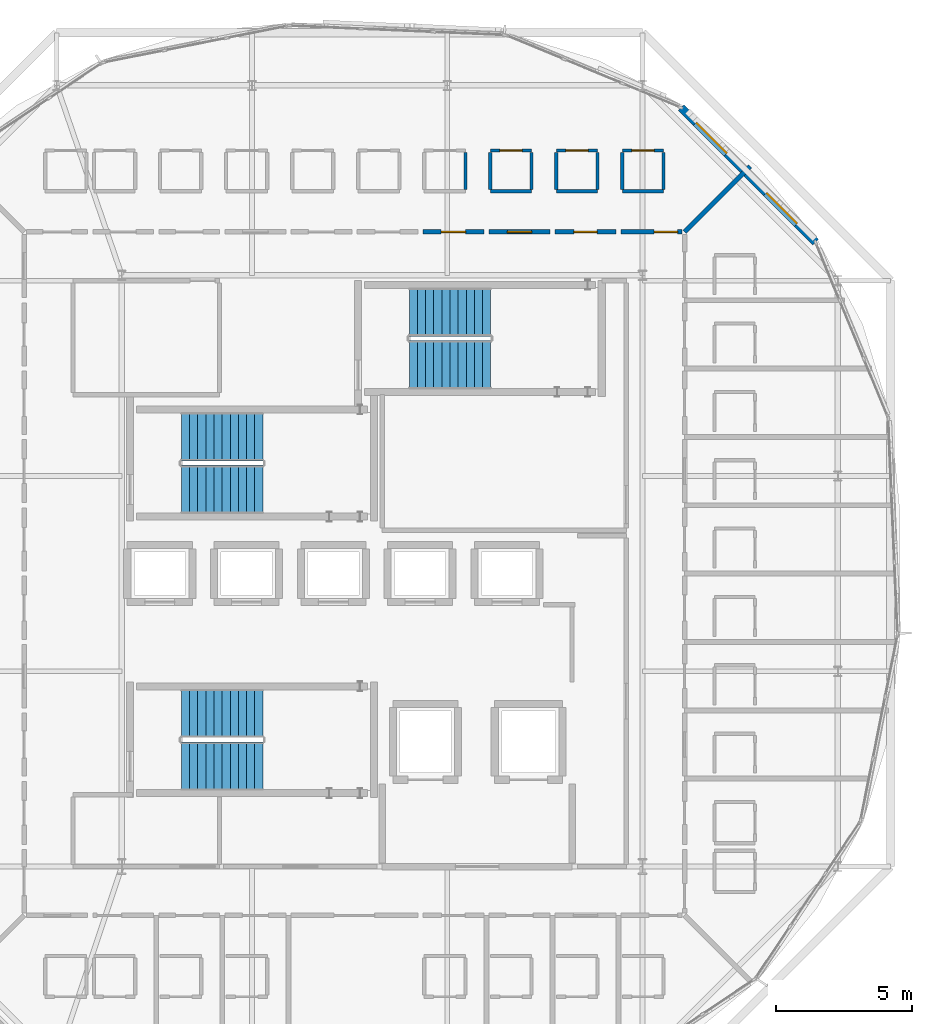
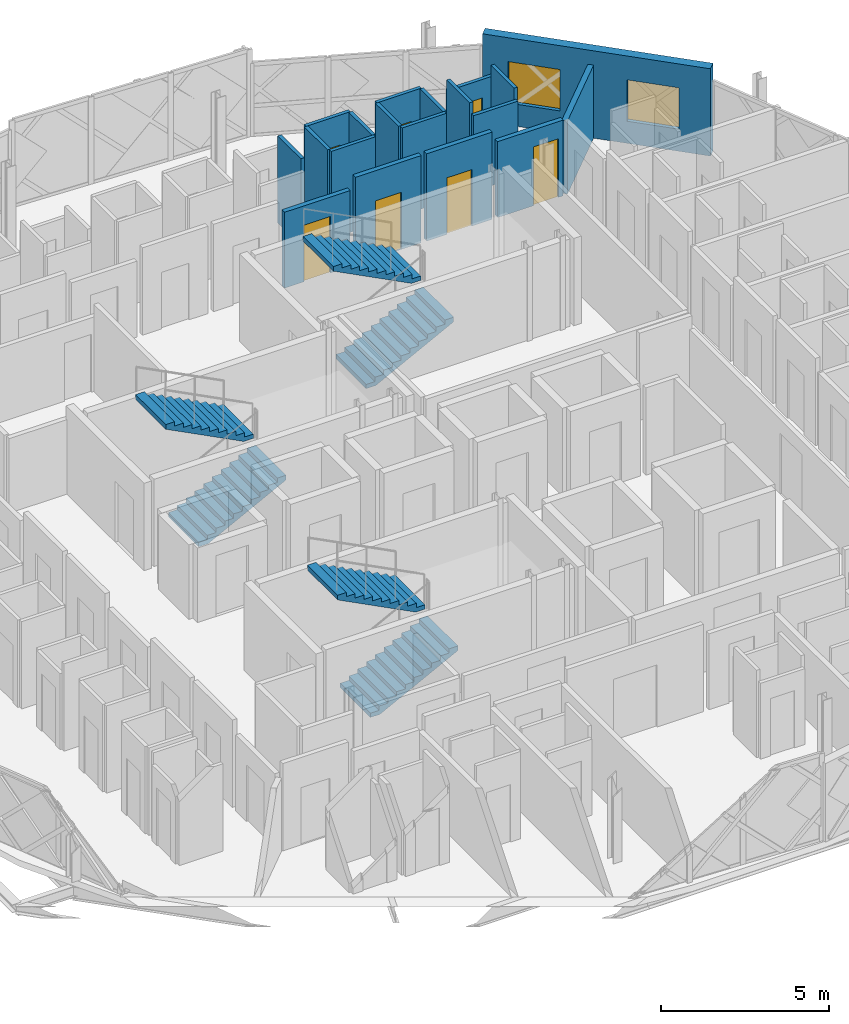
# One storey, part 19 of 24: 19 walls, 7 doors, 6 stair flights, 2 windows, 9 openings, 3 elements without a shape of their own.
"""IFC4 building model written with IfcOpenShell, lengths in metres."""

from ifc_helpers import new_model, si_unit, direction, frame, frame_2d, origin, place, context, subcontext, project, spatial, polyline, rectangle, outline, extrude, material, layer, layer_set, type_object, element, fill, aggregate, save


model = new_model("IFC4")

# Units and contexts
model_context = context("Model", 3, precision=1e-05, world=origin(), true_north=direction((0.0, 1.0)))
body_context = subcontext(model_context, "Body", "Model", "MODEL_VIEW")
ifc_project = project(units=[si_unit("LENGTHUNIT", "METRE"), si_unit("AREAUNIT", "SQUARE_METRE"), si_unit("VOLUMEUNIT", "CUBIC_METRE"), si_unit("PLANEANGLEUNIT", "RADIAN"), si_unit("MASSUNIT", "GRAM", prefix="KILO")], contexts=[model_context])

# Site, building, storey
site_placement = place(None, origin())
site = spatial("IfcSite", under=ifc_project, at=site_placement, CompositionType="ELEMENT")
building_placement = place(site_placement, origin())
building = spatial("IfcBuilding", under=site, at=building_placement, Name="Zevrakil Square Congress Hotel", CompositionType="ELEMENT")
storey_placement = place(building_placement, frame((0.0, 0.0, 35.10009765625)))
storey = spatial("IfcBuildingStorey", under=building, at=storey_placement, Name="L10", CompositionType="ELEMENT", Elevation=35.10009765625)

# Wall, opening, door
ifc_material_1 = material(Name="Gypsum Acoustic Stud Partition")
ifc_layer_1 = layer(ifc_material_1, 0.159912109375)
ifc_layer_set_1 = layer_set([ifc_layer_1], Name="Gypsum Acoustic Stud Partition")
wall_type_1 = type_object("IfcWallType", Name="WAL-CORR-160", PredefinedType="PARTITIONING", material=ifc_layer_set_1)
wall_1_placement = place(storey_placement, frame((155.2099609375, 40.199951171875, 0.0), z_axis=(0.0, 0.0, 1.0), x_axis=(1.0, 0.0, 0.0)))
wall_1 = element("IfcWall", 1, at=wall_1_placement, inside=storey, type_object=wall_type_1, Name="L10 interior partition PW-L10-1676", PredefinedType="PARTITIONING", context=body_context, shape_type="SweptSolid", body=[
    extrude(rectangle(XDim=2.2451171875, YDim=0.159912109375, at=frame_2d((1.12255859375, 0.0))), origin(), (0.0, 0.0, 1.0), 2.75),
])
opening_1_placement = place(wall_1_placement, frame((1.220947265625, 0.0, 0.0)))
opening_1 = element("IfcOpeningElement", 2, at=opening_1_placement, cuts=wall_1, Name="Opening ID-H02", PredefinedType="OPENING", context=body_context, shape_type="SweptSolid", body=[
    extrude(rectangle(XDim=0.864013671875, YDim=2.1298828125, at=frame_2d((0.43212890625, 1.06494140625))), frame((0.0, 0.08984375, 0.0), z_axis=(0.0, -1.0, 0.0), x_axis=(1.0, 0.0, 0.0)), (0.0, 0.0, 1.0), 0.179931640625),
])
ifc_material_2 = material(Name="Acoustic Timber Fire Door", Category="wood")
door_type_1 = type_object("IfcDoorType", Name="DOR-INT-H02", OperationType="NOTDEFINED", PredefinedType="DOOR", material=ifc_material_2)
door_1_placement = place(opening_1_placement, origin())
door_1 = element("IfcDoor", 3, at=door_1_placement, inside=storey, type_object=door_type_1, Name="L10 interior door 651", OperationType="SINGLE_SWING_LEFT", OverallHeight=2.1298828125, OverallWidth=0.864013671875, PredefinedType="DOOR", context=body_context, shape_type="SweptSolid", body=[
    extrude(rectangle(XDim=0.864013671875, YDim=2.1298828125, at=frame_2d((0.43212890625, 1.06494140625))), frame((0.0, 0.02490234375, 0.0), z_axis=(0.0, -1.0, 0.0), x_axis=(1.0, 0.0, 0.0)), (0.0, 0.0, 1.0), 0.050048828125),
])
fill(opening_1, door_1)

wall_2_placement = place(storey_placement, frame((152.77490234375, 40.199951171875, 0.0), z_axis=(0.0, 0.0, 1.0), x_axis=(1.0, 0.0, 0.0)))
wall_2 = element("IfcWall", 4, at=wall_2_placement, inside=storey, type_object=wall_type_1, Name="L10 interior partition PW-L10-1681", PredefinedType="PARTITIONING", context=body_context, shape_type="SweptSolid", body=[
    extrude(rectangle(XDim=2.2451171875, YDim=0.159912109375, at=frame_2d((1.12255859375, 0.0))), origin(), (0.0, 0.0, 1.0), 3.164794921875),
])
opening_2_placement = place(wall_2_placement, frame((0.695068359375, 0.0, 0.0)))
opening_2 = element("IfcOpeningElement", 5, at=opening_2_placement, cuts=wall_2, Name="Opening ID-G01", PredefinedType="OPENING", context=body_context, shape_type="SweptSolid", body=[
    extrude(rectangle(XDim=0.85498046875, YDim=2.050048828125, at=frame_2d((0.427490234375, 1.02490234375))), frame((0.0, 0.08984375, 0.0), z_axis=(0.0, -1.0, 0.0), x_axis=(1.0, 0.0, 0.0)), (0.0, 0.0, 1.0), 0.179931640625),
])
ifc_material_3 = material(Name="Acoustic Timber Fire Door", Category="wood")
door_type_2 = type_object("IfcDoorType", Name="DOR-INT-G01", OperationType="NOTDEFINED", PredefinedType="DOOR", material=ifc_material_3)
door_2_placement = place(opening_2_placement, origin())
door_2 = element("IfcDoor", 6, at=door_2_placement, inside=storey, type_object=door_type_2, Name="L10 interior door 653", OperationType="SINGLE_SWING_LEFT", OverallHeight=2.050048828125, OverallWidth=0.85498046875, PredefinedType="DOOR", context=body_context, shape_type="SweptSolid", body=[
    extrude(rectangle(XDim=0.85498046875, YDim=2.050048828125, at=frame_2d((0.427490234375, 1.02490234375))), frame((0.0, 0.02490234375, 0.0), z_axis=(0.0, -1.0, 0.0), x_axis=(1.0, 0.0, 0.0)), (0.0, 0.0, 1.0), 0.050048828125),
])
fill(opening_2, door_2)

wall_3_placement = place(storey_placement, frame((150.340087890625, 40.199951171875, 0.0), z_axis=(0.0, 0.0, 1.0), x_axis=(1.0, 0.0, 0.0)))
wall_3 = element("IfcWall", 7, at=wall_3_placement, inside=storey, type_object=wall_type_1, Name="L10 interior partition PW-L10-1686", PredefinedType="PARTITIONING", context=body_context, shape_type="SweptSolid", body=[
    extrude(rectangle(XDim=2.244873046875, YDim=0.159912109375, at=frame_2d((1.12255859375, 0.0))), origin(), (0.0, 0.0, 1.0), 3.164794921875),
])
opening_3_placement = place(wall_3_placement, frame((0.678466796875, 0.0, 0.0)))
opening_3 = element("IfcOpeningElement", 8, at=opening_3_placement, cuts=wall_3, Name="Opening ID-H04", PredefinedType="OPENING", context=body_context, shape_type="SweptSolid", body=[
    extrude(rectangle(XDim=0.887939453125, YDim=2.070068359375, at=frame_2d((0.44384765625, 1.03515625))), frame((0.0, 0.08984375, 0.0), z_axis=(0.0, -1.0, 0.0), x_axis=(1.0, 0.0, 0.0)), (0.0, 0.0, 1.0), 0.179931640625),
])
ifc_material_4 = material(Name="Acoustic Timber Fire Door", Category="wood")
door_type_3 = type_object("IfcDoorType", Name="DOR-INT-H04", OperationType="NOTDEFINED", PredefinedType="DOOR", material=ifc_material_4)
door_3_placement = place(opening_3_placement, origin())
door_3 = element("IfcDoor", 9, at=door_3_placement, inside=storey, type_object=door_type_3, Name="L10 interior door 655", OperationType="SINGLE_SWING_LEFT", OverallHeight=2.070068359375, OverallWidth=0.887939453125, PredefinedType="DOOR", context=body_context, shape_type="SweptSolid", body=[
    extrude(rectangle(XDim=0.887939453125, YDim=2.070068359375, at=frame_2d((0.44384765625, 1.03515625))), frame((0.0, 0.02490234375, 0.0), z_axis=(0.0, -1.0, 0.0), x_axis=(1.0, 0.0, 0.0)), (0.0, 0.0, 1.0), 0.050048828125),
])
fill(opening_3, door_3)

wall_4_placement = place(storey_placement, frame((147.905029296875, 40.199951171875, 0.0), z_axis=(0.0, 0.0, 1.0), x_axis=(1.0, 0.0, 0.0)))
wall_4 = element("IfcWall", 10, at=wall_4_placement, inside=storey, type_object=wall_type_1, Name="L10 interior partition PW-L10-1691", PredefinedType="PARTITIONING", context=body_context, shape_type="SweptSolid", body=[
    extrude(rectangle(XDim=2.244873046875, YDim=0.159912109375, at=frame_2d((1.12255859375, 0.0))), origin(), (0.0, 0.0, 1.0), 2.75),
])
opening_4_placement = place(wall_4_placement, frame((0.669921875, 0.0, 0.0)))
opening_4 = element("IfcOpeningElement", 11, at=opening_4_placement, cuts=wall_4, Name="Opening ID-G03", PredefinedType="OPENING", context=body_context, shape_type="SweptSolid", body=[
    extrude(rectangle(XDim=0.905029296875, YDim=2.050048828125, at=frame_2d((0.45263671875, 1.02490234375))), frame((0.0, 0.08984375, 0.0), z_axis=(0.0, -1.0, 0.0), x_axis=(1.0, 0.0, 0.0)), (0.0, 0.0, 1.0), 0.179931640625),
])
ifc_material_5 = material(Name="Acoustic Timber Fire Door", Category="wood")
door_type_4 = type_object("IfcDoorType", Name="DOR-INT-G03", OperationType="NOTDEFINED", PredefinedType="DOOR", material=ifc_material_5)
door_4_placement = place(opening_4_placement, origin())
door_4 = element("IfcDoor", 12, at=door_4_placement, inside=storey, type_object=door_type_4, Name="L10 interior door 657", OperationType="SINGLE_SWING_LEFT", OverallHeight=2.050048828125, OverallWidth=0.905029296875, PredefinedType="DOOR", context=body_context, shape_type="SweptSolid", body=[
    extrude(rectangle(XDim=0.905029296875, YDim=2.050048828125, at=frame_2d((0.45263671875, 1.02490234375))), frame((0.0, 0.02490234375, 0.0), z_axis=(0.0, -1.0, 0.0), x_axis=(1.0, 0.0, 0.0)), (0.0, 0.0, 1.0), 0.050048828125),
])
fill(opening_4, door_4)

# Wall
ifc_material_6 = material(Name="Moisture-Resistant Gypsum Partition")
ifc_layer_2 = layer(ifc_material_6, 0.1201171875)
ifc_layer_set_2 = layer_set([ifc_layer_2], Name="Moisture-Resistant Gypsum Partition")
wall_type_2 = type_object("IfcWallType", Name="WAL-ENS-120", PredefinedType="PARTITIONING", material=ifc_layer_set_2)
wall_5_placement = place(storey_placement, frame((155.2548828125, 41.699951171875, 0.0), z_axis=(0.0, 0.0, 1.0), x_axis=(1.0, 0.0, 0.0)))
element("IfcWall", 13, at=wall_5_placement, inside=storey, type_object=wall_type_2, Name="L10 interior partition PW-L10-1677", PredefinedType="PARTITIONING", context=body_context, shape_type="SweptSolid", body=[
    extrude(rectangle(XDim=1.52001953125, YDim=0.1201171875, at=frame_2d((0.760009765625, 0.0))), origin(), (0.0, 0.0, 1.0), 2.75),
])

# Wall, opening, door
wall_6_placement = place(storey_placement, frame((155.2548828125, 43.199951171875, 0.0), z_axis=(0.0, 0.0, 1.0), x_axis=(1.0, 0.0, 0.0)))
wall_6 = element("IfcWall", 14, at=wall_6_placement, inside=storey, type_object=wall_type_2, Name="L10 interior partition PW-L10-1678", PredefinedType="PARTITIONING", context=body_context, shape_type="SweptSolid", body=[
    extrude(rectangle(XDim=1.52001953125, YDim=0.1201171875, at=frame_2d((0.760009765625, 0.0))), origin(), (0.0, 0.0, 1.0), 2.75),
])
opening_5_placement = place(wall_6_placement, frame((0.35009765625, 0.0, 0.0)))
opening_5 = element("IfcOpeningElement", 15, at=opening_5_placement, cuts=wall_6, Name="Opening ID-11", PredefinedType="OPENING", context=body_context, shape_type="SweptSolid", body=[
    extrude(rectangle(XDim=0.820068359375, YDim=2.080078125, at=frame_2d((0.41015625, 1.0400390625))), frame((0.0, 0.070068359375, 0.0), z_axis=(0.0, -1.0, 0.0), x_axis=(1.0, 0.0, 0.0)), (0.0, 0.0, 1.0), 0.14013671875),
])
ifc_material_7 = material(Name="Acoustic Timber Door", Category="wood")
door_type_5 = type_object("IfcDoorType", Name="DOR-INT-V01", OperationType="NOTDEFINED", PredefinedType="DOOR", material=ifc_material_7)
door_5_placement = place(opening_5_placement, origin())
door_5 = element("IfcDoor", 16, at=door_5_placement, inside=storey, type_object=door_type_5, Name="L10 interior door 652", OperationType="SINGLE_SWING_RIGHT", OverallHeight=2.080078125, OverallWidth=0.820068359375, PredefinedType="DOOR", context=body_context, shape_type="SweptSolid", body=[
    extrude(rectangle(XDim=0.820068359375, YDim=2.080078125, at=frame_2d((0.41015625, 1.0400390625))), frame((0.0, 0.02490234375, 0.0), z_axis=(0.0, -1.0, 0.0), x_axis=(1.0, 0.0, 0.0)), (0.0, 0.0, 1.0), 0.050048828125),
])
fill(opening_5, door_5)

# Walls
for number, where, z_axis, x_axis, name in (
    (17, (155.2548828125, 41.764892578125, 0.0), (0.0, 0.0, 1.0), (0.0, 1.0, 0.0), "L10 interior partition PW-L10-1679"),
    (18, (156.77490234375, 41.764892578125, 0.0), (0.0, 0.0, 1.0), (0.0, 1.0, 0.0), "L10 interior partition PW-L10-1680"),
):
    element("IfcWall", number, at=place(storey_placement, frame(where, z_axis=z_axis, x_axis=x_axis)), inside=storey, type_object=wall_type_2, Name=name, PredefinedType="PARTITIONING", context=body_context, shape_type="SweptSolid", body=[
        extrude(rectangle(XDim=1.3701171875, YDim=0.1201171875, at=frame_2d((0.68505859375, 0.0))), origin(), (0.0, 0.0, 1.0), 3.164794921875),
    ])
wall_7_placement = place(storey_placement, frame((152.820068359375, 41.699951171875, 0.0), z_axis=(0.0, 0.0, 1.0), x_axis=(1.0, 0.0, 0.0)))
element("IfcWall", 19, at=wall_7_placement, inside=storey, type_object=wall_type_2, Name="L10 interior partition PW-L10-1682", PredefinedType="PARTITIONING", context=body_context, shape_type="SweptSolid", body=[
    extrude(rectangle(XDim=1.52001953125, YDim=0.1201171875, at=frame_2d((0.760009765625, 0.0))), origin(), (0.0, 0.0, 1.0), 3.164794921875),
])

# Wall, opening, door
wall_8_placement = place(storey_placement, frame((152.820068359375, 43.199951171875, 0.0), z_axis=(0.0, 0.0, 1.0), x_axis=(1.0, 0.0, 0.0)))
wall_8 = element("IfcWall", 20, at=wall_8_placement, inside=storey, type_object=wall_type_2, Name="L10 interior partition PW-L10-1683", PredefinedType="PARTITIONING", context=body_context, shape_type="SweptSolid", body=[
    extrude(rectangle(XDim=1.52001953125, YDim=0.1201171875, at=frame_2d((0.760009765625, 0.0))), origin(), (0.0, 0.0, 1.0), 3.164794921875),
])
opening_6_placement = place(wall_8_placement, frame((0.35009765625, 0.0, 0.0)))
opening_6 = element("IfcOpeningElement", 21, at=opening_6_placement, cuts=wall_8, Name="Opening ID-11", PredefinedType="OPENING", context=body_context, shape_type="SweptSolid", body=[
    extrude(rectangle(XDim=0.820068359375, YDim=2.080078125, at=frame_2d((0.41015625, 1.0400390625))), frame((0.0, 0.070068359375, 0.0), z_axis=(0.0, -1.0, 0.0), x_axis=(1.0, 0.0, 0.0)), (0.0, 0.0, 1.0), 0.14013671875),
])
door_6_placement = place(opening_6_placement, origin())
door_6 = element("IfcDoor", 22, at=door_6_placement, inside=storey, type_object=door_type_5, Name="L10 interior door 654", OperationType="SINGLE_SWING_RIGHT", OverallHeight=2.080078125, OverallWidth=0.820068359375, PredefinedType="DOOR", context=body_context, shape_type="SweptSolid", body=[
    extrude(rectangle(XDim=0.820068359375, YDim=2.080078125, at=frame_2d((0.41015625, 1.0400390625))), frame((0.0, 0.02490234375, 0.0), z_axis=(0.0, -1.0, 0.0), x_axis=(1.0, 0.0, 0.0)), (0.0, 0.0, 1.0), 0.050048828125),
])
fill(opening_6, door_6)

# Walls
for number, where, z_axis, x_axis, name in (
    (23, (152.820068359375, 41.764892578125, 0.0), (0.0, 0.0, 1.0), (0.0, 1.0, 0.0), "L10 interior partition PW-L10-1684"),
    (24, (154.340087890625, 41.764892578125, 0.0), (0.0, 0.0, 1.0), (0.0, 1.0, 0.0), "L10 interior partition PW-L10-1685"),
):
    element("IfcWall", number, at=place(storey_placement, frame(where, z_axis=z_axis, x_axis=x_axis)), inside=storey, type_object=wall_type_2, Name=name, PredefinedType="PARTITIONING", context=body_context, shape_type="SweptSolid", body=[
        extrude(rectangle(XDim=1.3701171875, YDim=0.1201171875, at=frame_2d((0.68505859375, 0.0))), origin(), (0.0, 0.0, 1.0), 3.164794921875),
    ])
wall_9_placement = place(storey_placement, frame((150.385009765625, 41.699951171875, 0.0), z_axis=(0.0, 0.0, 1.0), x_axis=(1.0, 0.0, 0.0)))
element("IfcWall", 25, at=wall_9_placement, inside=storey, type_object=wall_type_2, Name="L10 interior partition PW-L10-1687", PredefinedType="PARTITIONING", context=body_context, shape_type="SweptSolid", body=[
    extrude(rectangle(XDim=1.52001953125, YDim=0.1201171875, at=frame_2d((0.760009765625, 0.0))), origin(), (0.0, 0.0, 1.0), 3.164794921875),
])

# Wall, opening, door
wall_10_placement = place(storey_placement, frame((150.385009765625, 43.199951171875, 0.0), z_axis=(0.0, 0.0, 1.0), x_axis=(1.0, 0.0, 0.0)))
wall_10 = element("IfcWall", 26, at=wall_10_placement, inside=storey, type_object=wall_type_2, Name="L10 interior partition PW-L10-1688", PredefinedType="PARTITIONING", context=body_context, shape_type="SweptSolid", body=[
    extrude(rectangle(XDim=1.52001953125, YDim=0.1201171875, at=frame_2d((0.760009765625, 0.0))), origin(), (0.0, 0.0, 1.0), 3.164794921875),
])
opening_7_placement = place(wall_10_placement, frame((0.35009765625, 0.0, 0.0)))
opening_7 = element("IfcOpeningElement", 27, at=opening_7_placement, cuts=wall_10, Name="Opening ID-11", PredefinedType="OPENING", context=body_context, shape_type="SweptSolid", body=[
    extrude(rectangle(XDim=0.820068359375, YDim=2.080078125, at=frame_2d((0.41015625, 1.0400390625))), frame((0.0, 0.070068359375, 0.0), z_axis=(0.0, -1.0, 0.0), x_axis=(1.0, 0.0, 0.0)), (0.0, 0.0, 1.0), 0.14013671875),
])
door_7_placement = place(opening_7_placement, origin())
door_7 = element("IfcDoor", 28, at=door_7_placement, inside=storey, type_object=door_type_5, Name="L10 interior door 656", OperationType="SINGLE_SWING_RIGHT", OverallHeight=2.080078125, OverallWidth=0.820068359375, PredefinedType="DOOR", context=body_context, shape_type="SweptSolid", body=[
    extrude(rectangle(XDim=0.820068359375, YDim=2.080078125, at=frame_2d((0.41015625, 1.0400390625))), frame((0.0, 0.02490234375, 0.0), z_axis=(0.0, -1.0, 0.0), x_axis=(1.0, 0.0, 0.0)), (0.0, 0.0, 1.0), 0.050048828125),
])
fill(opening_7, door_7)

# Walls
for number, where, z_axis, x_axis, name in (
    (29, (150.385009765625, 41.764892578125, 0.0), (0.0, 0.0, 1.0), (0.0, 1.0, 0.0), "L10 interior partition PW-L10-1689"),
    (30, (151.905029296875, 41.764892578125, 0.0), (0.0, 0.0, 1.0), (0.0, 1.0, 0.0), "L10 interior partition PW-L10-1690"),
    (31, (149.469970703125, 41.764892578125, 0.0), (0.0, 0.0, 1.0), (0.0, 1.0, 0.0), "L10 interior partition PW-L10-1695"),
):
    element("IfcWall", number, at=place(storey_placement, frame(where, z_axis=z_axis, x_axis=x_axis)), inside=storey, type_object=wall_type_2, Name=name, PredefinedType="PARTITIONING", context=body_context, shape_type="SweptSolid", body=[
        extrude(rectangle(XDim=1.3701171875, YDim=0.1201171875, at=frame_2d((0.68505859375, 0.0))), origin(), (0.0, 0.0, 1.0), 3.164794921875),
    ])

# Wall, openings, windows
ifc_material_8 = material(Name="Precast concrete C40/50", Category="concrete")
ifc_layer_3 = layer(ifc_material_8, 0.300048828125)
ifc_layer_set_3 = layer_set([ifc_layer_3], Name="Precast concrete C40/50")
wall_type_3 = type_object("IfcWallType", Name="WAL-EXT-DRM-300", PredefinedType="SOLIDWALL", material=ifc_layer_set_3)
wall_11_placement = place(storey_placement, frame((162.3759765625, 39.822265625, 0.0), z_axis=(0.0, 0.0, 1.0), x_axis=(-0.707106781187, 0.707106781187, 0.0)))
wall_11 = element("IfcWall", 32, at=wall_11_placement, inside=storey, type_object=wall_type_3, Name="L10 exterior GRC wall EW-L10-0134", PredefinedType="SOLIDWALL", context=body_context, shape_type="SweptSolid", body=[
    extrude(rectangle(XDim=7.00537109375, YDim=0.300048828125, at=frame_2d((3.502685546875, 0.0))), origin(), (0.0, 0.0, 1.0), 3.164794921875),
])
opening_8_placement = place(wall_11_placement, frame((0.959716796875, 0.0, 0.800048828125)))
opening_8 = element("IfcOpeningElement", 33, at=opening_8_placement, cuts=wall_11, Name="Opening WN-09", PredefinedType="OPENING", context=body_context, shape_type="SweptSolid", body=[
    extrude(rectangle(XDim=1.60009765625, YDim=1.5, at=frame_2d((0.800048828125, 0.75))), frame((0.0, 0.16015625, 0.0), z_axis=(0.0, -1.0, 0.0), x_axis=(1.0, 0.0, 0.0)), (0.0, 0.0, 1.0), 0.320068359375),
])
opening_9_placement = place(wall_11_placement, frame((4.62255859375, 0.0, 0.800048828125)))
opening_9 = element("IfcOpeningElement", 34, at=opening_9_placement, cuts=wall_11, Name="Opening WN-09", PredefinedType="OPENING", context=body_context, shape_type="SweptSolid", body=[
    extrude(rectangle(XDim=1.60009765625, YDim=1.5, at=frame_2d((0.800048828125, 0.75))), frame((0.0, 0.16015625, 0.0), z_axis=(0.0, -1.0, 0.0), x_axis=(1.0, 0.0, 0.0)), (0.0, 0.0, 1.0), 0.320068359375),
])
ifc_material_9 = material(Name="Low-E Solar Control Double Glazing", Category="glass")
window_type = type_object("IfcWindowType", Name="WIN-EXT-09", PartitioningType="SINGLE_PANEL", PredefinedType="WINDOW", material=ifc_material_9)
window_1_placement = place(opening_8_placement, origin())
window_1 = element("IfcWindow", 35, at=window_1_placement, inside=storey, type_object=window_type, Name="L10 hotel guestroom low-E window 112", OverallHeight=1.5, OverallWidth=1.60009765625, PartitioningType="SINGLE_PANEL", PredefinedType="WINDOW", context=body_context, shape_type="SweptSolid", body=[
    extrude(rectangle(XDim=1.60009765625, YDim=1.5, at=frame_2d((0.800048828125, 0.75))), frame((0.0, 0.030029296875, 0.0), z_axis=(0.0, -1.0, 0.0), x_axis=(1.0, 0.0, 0.0)), (0.0, 0.0, 1.0), 0.06005859375),
])
fill(opening_8, window_1)
window_2_placement = place(opening_9_placement, origin())
window_2 = element("IfcWindow", 36, at=window_2_placement, inside=storey, type_object=window_type, Name="L10 hotel guestroom low-E window 113", OverallHeight=1.5, OverallWidth=1.60009765625, PartitioningType="SINGLE_PANEL", PredefinedType="WINDOW", context=body_context, shape_type="SweptSolid", body=[
    extrude(rectangle(XDim=1.60009765625, YDim=1.5, at=frame_2d((0.800048828125, 0.75))), frame((0.0, 0.030029296875, 0.0), z_axis=(0.0, -1.0, 0.0), x_axis=(1.0, 0.0, 0.0)), (0.0, 0.0, 1.0), 0.06005859375),
])
fill(opening_9, window_2)

# Wall
ifc_material_10 = material(Name="Gypsum Twin-Stud Party Partition")
ifc_layer_4 = layer(ifc_material_10, 0.179931640625)
ifc_layer_set_4 = layer_set([ifc_layer_4], Name="Gypsum Twin-Stud Party Partition")
wall_type_4 = type_object("IfcWallType", Name="WAL-PARTY-180", PredefinedType="PARTITIONING", material=ifc_layer_set_4)
wall_12_placement = place(storey_placement, frame((157.550048828125, 40.199951171875, 0.0), z_axis=(0.0, 0.0, 1.0), x_axis=(0.707106781187, 0.707106781187, 0.0)))
element("IfcWall", 37, at=wall_12_placement, inside=storey, type_object=wall_type_4, Name="L10 interior partition PW-L10-1675", PredefinedType="PARTITIONING", context=body_context, shape_type="SweptSolid", body=[
    extrude(rectangle(XDim=3.41259765625, YDim=0.179931640625, at=frame_2d((1.706298828125, 0.0))), origin(), (0.0, 0.0, 1.0), 2.64990234375),
])

# Stair, stair flights
ifc_material_11 = material(Name="Concrete C35/45", Category="concrete")
stair_type = type_object("IfcStairType", Name="STR-DOGLEG-180", PredefinedType="HALF_TURN_STAIR", material=ifc_material_11)
stair_1_placement = place(storey_placement, origin())
stair_1 = element("IfcStair", 38, at=stair_1_placement, inside=storey, type_object=stair_type, Name="L10 Protected exit stair ST01", PredefinedType="HALF_TURN_STAIR")
ifc_material_12 = material(Name="Concrete C35/45", Category="concrete")
ifc_layer_5 = layer(ifc_material_12, 0.159912109375)
ifc_layer_set_5 = layer_set([ifc_layer_5], Name="Concrete C35/45")
stair_flight_type = type_object("IfcStairFlightType", Name="SFL-STRAIGHT-180", PredefinedType="STRAIGHT", material=ifc_layer_set_5)
stair_flight_1_placement = place(storey_placement, frame((139.0, 20.5, 0.0), z_axis=(0.0, 0.0, 1.0), x_axis=(1.0, 0.0, 0.0)))
stair_flight_1 = element("IfcStairFlight", 39, at=stair_flight_1_placement, type_object=stair_flight_type, Name="ST01 flight 1", NumberOfRisers=11, NumberOfTreads=10, PredefinedType="STRAIGHT", RiserHeight=0.154545455, TreadLength=0.3, context=body_context, shape_type="SweptSolid", body=[
    extrude(outline(polyline([(0.0, 0.0), (0.0, 0.154541015625), (0.300048828125, 0.154541015625), (0.300048828125, 0.30908203125), (0.60009765625, 0.30908203125), (0.60009765625, 0.463623046875), (0.89990234375, 0.463623046875), (0.89990234375, 0.6181640625), (1.199951171875, 0.6181640625), (1.199951171875, 0.772705078125), (1.5, 0.772705078125), (1.5, 0.92724609375), (1.800048828125, 0.92724609375), (1.800048828125, 1.081787109375), (2.10009765625, 1.081787109375), (2.10009765625, 1.236328125), (2.39990234375, 1.236328125), (2.39990234375, 1.390869140625), (2.699951171875, 1.390869140625), (2.699951171875, 1.54541015625), (3.0, 1.54541015625), (3.0, 1.699951171875), (3.0, 1.376708984375), (0.327392578125, 0.0), (0.0, 0.0)])), frame((0.0, 0.89990234375, 0.0), z_axis=(0.0, -1.0, 0.0), x_axis=(1.0, 0.0, 0.0)), (0.0, 0.0, 1.0), 1.800048828125),
])
stair_flight_2_placement = place(storey_placement, frame((142.0, 22.449951171875, 1.699951171875), z_axis=(0.0, 0.0, 1.0), x_axis=(-1.0, 0.0, 0.0)))
stair_flight_2 = element("IfcStairFlight", 40, at=stair_flight_2_placement, type_object=stair_flight_type, Name="ST01 flight 2", NumberOfRisers=11, NumberOfTreads=10, PredefinedType="STRAIGHT", RiserHeight=0.154545455, TreadLength=0.3, context=body_context, shape_type="SweptSolid", body=[
    extrude(outline(polyline([(0.0, 0.0), (0.0, 0.154541015625), (0.300048828125, 0.154541015625), (0.300048828125, 0.30908203125), (0.60009765625, 0.30908203125), (0.60009765625, 0.463623046875), (0.89990234375, 0.463623046875), (0.89990234375, 0.6181640625), (1.199951171875, 0.6181640625), (1.199951171875, 0.772705078125), (1.5, 0.772705078125), (1.5, 0.92724609375), (1.800048828125, 0.92724609375), (1.800048828125, 1.081787109375), (2.10009765625, 1.081787109375), (2.10009765625, 1.236328125), (2.39990234375, 1.236328125), (2.39990234375, 1.390869140625), (2.699951171875, 1.390869140625), (2.699951171875, 1.54541015625), (3.0, 1.54541015625), (3.0, 1.699951171875), (3.0, 1.376708984375), (0.327392578125, 0.0), (0.0, 0.0)])), frame((0.0, 0.89990234375, 0.0), z_axis=(0.0, -1.0, 0.0), x_axis=(1.0, 0.0, 0.0)), (0.0, 0.0, 1.0), 1.800048828125),
])
aggregate(stair_1, [stair_flight_1, stair_flight_2])

stair_2_placement = place(storey_placement, origin())
stair_2 = element("IfcStair", 41, at=stair_2_placement, inside=storey, type_object=stair_type, Name="L10 Protected exit stair ST02", PredefinedType="HALF_TURN_STAIR")
stair_flight_3_placement = place(storey_placement, frame((139.0, 30.699951171875, 0.0), z_axis=(0.0, 0.0, 1.0), x_axis=(1.0, 0.0, 0.0)))
stair_flight_3 = element("IfcStairFlight", 42, at=stair_flight_3_placement, type_object=stair_flight_type, Name="ST02 flight 1", NumberOfRisers=11, NumberOfTreads=10, PredefinedType="STRAIGHT", RiserHeight=0.154545455, TreadLength=0.3, context=body_context, shape_type="SweptSolid", body=[
    extrude(outline(polyline([(0.0, 0.0), (0.0, 0.154541015625), (0.300048828125, 0.154541015625), (0.300048828125, 0.30908203125), (0.60009765625, 0.30908203125), (0.60009765625, 0.463623046875), (0.89990234375, 0.463623046875), (0.89990234375, 0.6181640625), (1.199951171875, 0.6181640625), (1.199951171875, 0.772705078125), (1.5, 0.772705078125), (1.5, 0.92724609375), (1.800048828125, 0.92724609375), (1.800048828125, 1.081787109375), (2.10009765625, 1.081787109375), (2.10009765625, 1.236328125), (2.39990234375, 1.236328125), (2.39990234375, 1.390869140625), (2.699951171875, 1.390869140625), (2.699951171875, 1.54541015625), (3.0, 1.54541015625), (3.0, 1.699951171875), (3.0, 1.376708984375), (0.327392578125, 0.0), (0.0, 0.0)])), frame((0.0, 0.89990234375, 0.0), z_axis=(0.0, -1.0, 0.0), x_axis=(1.0, 0.0, 0.0)), (0.0, 0.0, 1.0), 1.800048828125),
])
stair_flight_4_placement = place(storey_placement, frame((142.0, 32.64990234375, 1.699951171875), z_axis=(0.0, 0.0, 1.0), x_axis=(-1.0, 0.0, 0.0)))
stair_flight_4 = element("IfcStairFlight", 43, at=stair_flight_4_placement, type_object=stair_flight_type, Name="ST02 flight 2", NumberOfRisers=11, NumberOfTreads=10, PredefinedType="STRAIGHT", RiserHeight=0.154545455, TreadLength=0.3, context=body_context, shape_type="SweptSolid", body=[
    extrude(outline(polyline([(0.0, 0.0), (0.0, 0.154541015625), (0.300048828125, 0.154541015625), (0.300048828125, 0.30908203125), (0.60009765625, 0.30908203125), (0.60009765625, 0.463623046875), (0.89990234375, 0.463623046875), (0.89990234375, 0.6181640625), (1.199951171875, 0.6181640625), (1.199951171875, 0.772705078125), (1.5, 0.772705078125), (1.5, 0.92724609375), (1.800048828125, 0.92724609375), (1.800048828125, 1.081787109375), (2.10009765625, 1.081787109375), (2.10009765625, 1.236328125), (2.39990234375, 1.236328125), (2.39990234375, 1.390869140625), (2.699951171875, 1.390869140625), (2.699951171875, 1.54541015625), (3.0, 1.54541015625), (3.0, 1.699951171875), (3.0, 1.376708984375), (0.327392578125, 0.0), (0.0, 0.0)])), frame((0.0, 0.89990234375, 0.0), z_axis=(0.0, -1.0, 0.0), x_axis=(1.0, 0.0, 0.0)), (0.0, 0.0, 1.0), 1.800048828125),
])
aggregate(stair_2, [stair_flight_3, stair_flight_4])

stair_3_placement = place(storey_placement, origin())
stair_3 = element("IfcStair", 44, at=stair_3_placement, inside=storey, type_object=stair_type, Name="L10 Protected exit stair ST03", PredefinedType="HALF_TURN_STAIR")
stair_flight_5_placement = place(storey_placement, frame((147.39990234375, 35.300048828125, 0.0), z_axis=(0.0, 0.0, 1.0), x_axis=(1.0, 0.0, 0.0)))
stair_flight_5 = element("IfcStairFlight", 45, at=stair_flight_5_placement, type_object=stair_flight_type, Name="ST03 flight 1", NumberOfRisers=11, NumberOfTreads=10, PredefinedType="STRAIGHT", RiserHeight=0.154545455, TreadLength=0.3, context=body_context, shape_type="SweptSolid", body=[
    extrude(outline(polyline([(0.0, 0.0), (0.0, 0.154541015625), (0.300048828125, 0.154541015625), (0.300048828125, 0.30908203125), (0.60009765625, 0.30908203125), (0.60009765625, 0.463623046875), (0.89990234375, 0.463623046875), (0.89990234375, 0.6181640625), (1.199951171875, 0.6181640625), (1.199951171875, 0.772705078125), (1.5, 0.772705078125), (1.5, 0.92724609375), (1.800048828125, 0.92724609375), (1.800048828125, 1.081787109375), (2.10009765625, 1.081787109375), (2.10009765625, 1.236328125), (2.39990234375, 1.236328125), (2.39990234375, 1.390869140625), (2.699951171875, 1.390869140625), (2.699951171875, 1.54541015625), (3.0, 1.54541015625), (3.0, 1.699951171875), (3.0, 1.376708984375), (0.327392578125, 0.0), (0.0, 0.0)])), frame((0.0, 0.89990234375, 0.0), z_axis=(0.0, -1.0, 0.0), x_axis=(1.0, 0.0, 0.0)), (0.0, 0.0, 1.0), 1.800048828125),
])
stair_flight_6_placement = place(storey_placement, frame((150.39990234375, 37.25, 1.699951171875), z_axis=(0.0, 0.0, 1.0), x_axis=(-1.0, 0.0, 0.0)))
stair_flight_6 = element("IfcStairFlight", 46, at=stair_flight_6_placement, type_object=stair_flight_type, Name="ST03 flight 2", NumberOfRisers=11, NumberOfTreads=10, PredefinedType="STRAIGHT", RiserHeight=0.154545455, TreadLength=0.3, context=body_context, shape_type="SweptSolid", body=[
    extrude(outline(polyline([(0.0, 0.0), (0.0, 0.154541015625), (0.300048828125, 0.154541015625), (0.300048828125, 0.30908203125), (0.60009765625, 0.30908203125), (0.60009765625, 0.463623046875), (0.89990234375, 0.463623046875), (0.89990234375, 0.6181640625), (1.199951171875, 0.6181640625), (1.199951171875, 0.772705078125), (1.5, 0.772705078125), (1.5, 0.92724609375), (1.800048828125, 0.92724609375), (1.800048828125, 1.081787109375), (2.10009765625, 1.081787109375), (2.10009765625, 1.236328125), (2.39990234375, 1.236328125), (2.39990234375, 1.390869140625), (2.699951171875, 1.390869140625), (2.699951171875, 1.54541015625), (3.0, 1.54541015625), (3.0, 1.699951171875), (3.0, 1.376708984375), (0.327392578125, 0.0), (0.0, 0.0)])), frame((0.0, 0.89990234375, 0.0), z_axis=(0.0, -1.0, 0.0), x_axis=(1.0, 0.0, 0.0)), (0.0, 0.0, 1.0), 1.800048828125),
])
aggregate(stair_3, [stair_flight_5, stair_flight_6])

save(model, "model.ifc")
